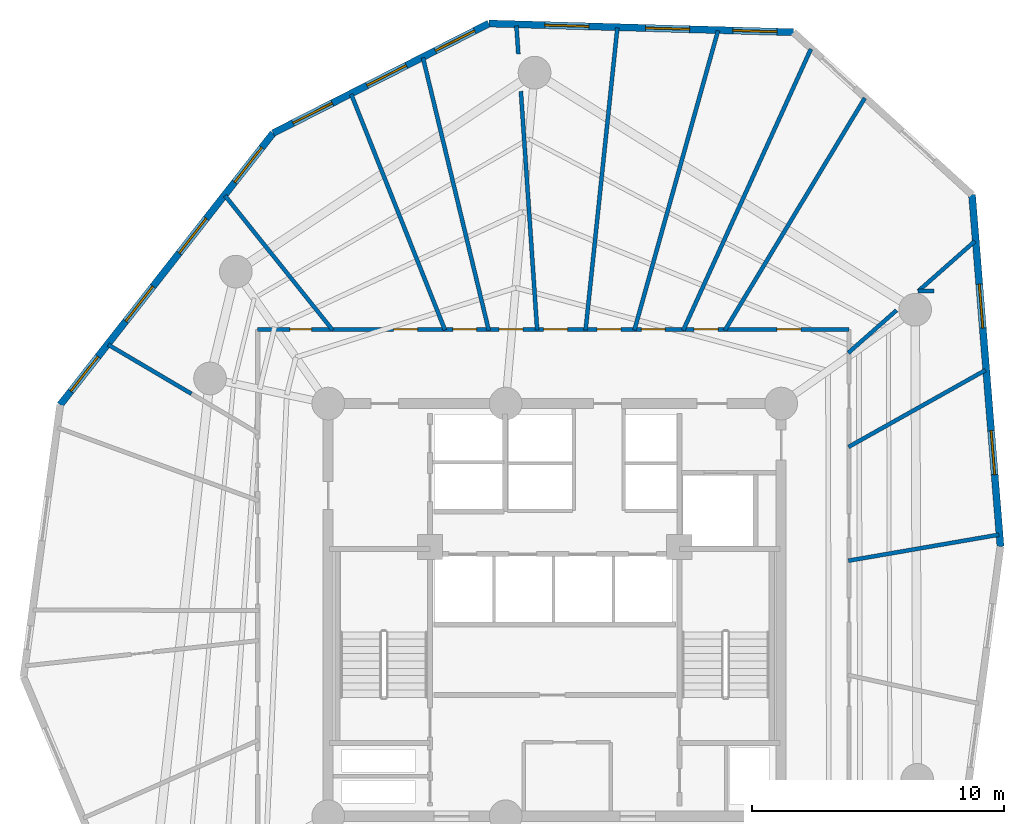
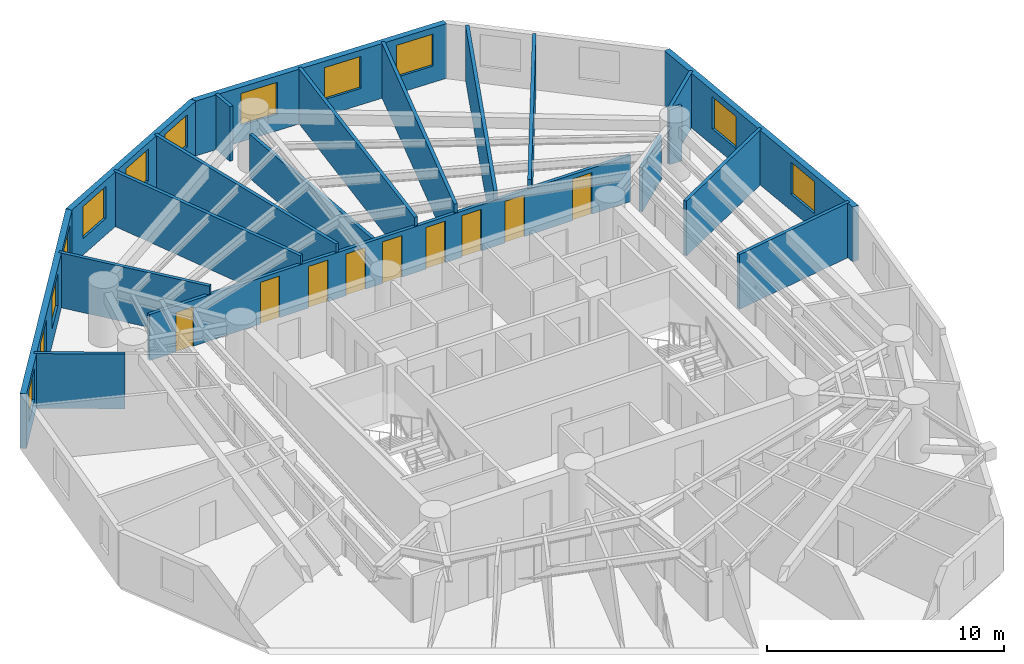
# One storey, part 6 of 8: 20 walls, 12 windows, 9 doors, 21 openings.
"""IFC4 building model written with IfcOpenShell, lengths in metres."""

from ifc_helpers import new_model, si_unit, direction, frame, frame_2d, origin, origin_with_axes, place, context, subcontext, project, spatial, rectangle, extrude, source, transform, mapped, material, layer, layer_set, type_object, element, fill, save


model = new_model("IFC4")

# Units and contexts
model_context = context("Model", 3, precision=1e-05, world=origin(), true_north=direction((0.0, 1.0)))
body_context = subcontext(model_context, "Body", "Model", "MODEL_VIEW")
ifc_project = project(units=[si_unit("LENGTHUNIT", "METRE"), si_unit("AREAUNIT", "SQUARE_METRE"), si_unit("VOLUMEUNIT", "CUBIC_METRE"), si_unit("PLANEANGLEUNIT", "RADIAN"), si_unit("MASSUNIT", "GRAM", prefix="KILO")], contexts=[model_context])

# Site, building, storey
site_placement = place(None, origin())
site = spatial("IfcSite", under=ifc_project, at=site_placement, CompositionType="ELEMENT")
building_placement = place(site_placement, origin())
building = spatial("IfcBuilding", under=site, at=building_placement, Name="Karkom Vertical University and Central Library", CompositionType="ELEMENT")
storey_placement = place(building_placement, frame((0.0, 0.0, 168.75)))
storey = spatial("IfcBuildingStorey", under=building, at=storey_placement, Name="L48", CompositionType="ELEMENT", Elevation=168.75)

# Wall, openings, windows
ifc_material_1 = material(Name="Brick-faced precast concrete C45/55", Category="masonry")
ifc_layer_1 = layer(ifc_material_1, 0.280029296875)
ifc_layer_set_1 = layer_set([ifc_layer_1], Name="Brick-faced precast concrete C45/55")
wall_type_1 = type_object("IfcWallType", Name="ENV-WL-BRK-280", PredefinedType="SOLIDWALL", material=ifc_layer_set_1)
wall_1_placement = place(storey_placement, frame((46.215087890625, 29.02197265625, 0.0), z_axis=(0.0, 0.0, 1.0), x_axis=(-0.080623276525, 0.996744644973, 0.0)))
wall_1 = element("IfcWall", 1, at=wall_1_placement, inside=storey, type_object=wall_type_1, Name="Level 48 Brick-Faced Precast Facade Wall 08", PredefinedType="SOLIDWALL", context=body_context, shape_type="SweptSolid", body=[
    extrude(rectangle(XDim=14.0234375, YDim=0.280029296875, at=frame_2d((7.01171875, 0.0))), origin(), (0.0, 0.0, 1.0), 2.824951171875),
])
opening_1_placement = place(wall_1_placement, frame((2.866943359375, 0.0, 0.85009765625)))
opening_1 = element("IfcOpeningElement", 2, at=opening_1_placement, cuts=wall_1, Name="Opening WN-08", PredefinedType="OPENING", context=body_context, shape_type="SweptSolid", body=[
    extrude(rectangle(XDim=1.75, YDim=1.64990234375, at=frame_2d((0.875, 0.824951171875))), frame((0.0, 0.14990234375, 0.0), z_axis=(0.0, -1.0, 0.0), x_axis=(1.0, 0.0, 0.0)), (0.0, 0.0, 1.0), 0.300048828125),
])
opening_2_placement = place(wall_1_placement, frame((8.708984375, 0.0, 0.85009765625)))
opening_2 = element("IfcOpeningElement", 3, at=opening_2_placement, cuts=wall_1, Name="Opening WN-08", PredefinedType="OPENING", context=body_context, shape_type="SweptSolid", body=[
    extrude(rectangle(XDim=1.75, YDim=1.64990234375, at=frame_2d((0.875, 0.824951171875))), frame((0.0, 0.14990234375, 0.0), z_axis=(0.0, -1.0, 0.0), x_axis=(1.0, 0.0, 0.0)), (0.0, 0.0, 1.0), 0.300048828125),
])
ifc_material_2 = material(Name="Aluminium thermal-break frame with solar-control IGU", Category="aluminium")
window_type = type_object("IfcWindowType", Name="ENV-WIN-WN-08", PartitioningType="SINGLE_PANEL", PredefinedType="WINDOW", material=ifc_material_2)
shared_shape_1 = source(origin_with_axes(), body_context, "Body", "SweptSolid", [
    extrude(rectangle(XDim=1.75, YDim=1.64990234375, at=frame_2d((0.875, 0.824951171875))), frame((0.0, 0.030029296875, 0.0), z_axis=(0.0, -1.0, 0.0), x_axis=(1.0, 0.0, 0.0)), (0.0, 0.0, 1.0), 0.06005859375),
])
window_1_placement = place(opening_1_placement, origin())
window_1 = element("IfcWindow", 4, at=window_1_placement, inside=storey, type_object=window_type, Name="Level 48 Punched Window 8.1", OverallHeight=1.64990234375, OverallWidth=1.75, PartitioningType="SINGLE_PANEL", PredefinedType="WINDOW", context=body_context, shape_type="MappedRepresentation", body=[
    mapped(shared_shape_1, transform((0.0, 0.0, 0.0), scale=1.0)),
])
fill(opening_1, window_1)
window_2_placement = place(opening_2_placement, origin())
window_2 = element("IfcWindow", 5, at=window_2_placement, inside=storey, type_object=window_type, Name="Level 48 Punched Window 8.2", OverallHeight=1.64990234375, OverallWidth=1.75, PartitioningType="SINGLE_PANEL", PredefinedType="WINDOW", context=body_context, shape_type="MappedRepresentation", body=[
    mapped(shared_shape_1, transform((0.0, 0.0, 0.0), scale=1.0)),
])
fill(opening_2, window_2)

wall_2_placement = place(storey_placement, frame((37.987060546875, 49.45703125, 0.0), z_axis=(0.0, 0.0, 1.0), x_axis=(-0.999592924777, 0.028530417713, 0.0)))
wall_2 = element("IfcWall", 6, at=wall_2_placement, inside=storey, type_object=wall_type_1, Name="Level 48 Brick-Faced Precast Facade Wall 10", PredefinedType="SOLIDWALL", context=body_context, shape_type="SweptSolid", body=[
    extrude(rectangle(XDim=12.1083984375, YDim=0.280029296875, at=frame_2d((6.05419921875, 0.0))), origin(), (0.0, 0.0, 1.0), 2.824951171875),
])
opening_3_placement = place(wall_2_placement, frame((0.658203125, 0.0, 0.85009765625)))
opening_3 = element("IfcOpeningElement", 7, at=opening_3_placement, cuts=wall_2, Name="Opening WN-08", PredefinedType="OPENING", context=body_context, shape_type="SweptSolid", body=[
    extrude(rectangle(XDim=1.75, YDim=1.64990234375, at=frame_2d((0.875, 0.824951171875))), frame((0.0, 0.14990234375, 0.0), z_axis=(0.0, -1.0, 0.0), x_axis=(1.0, 0.0, 0.0)), (0.0, 0.0, 1.0), 0.300048828125),
])
opening_4_placement = place(wall_2_placement, frame((4.129150390625, 0.0, 0.85009765625)))
opening_4 = element("IfcOpeningElement", 8, at=opening_4_placement, cuts=wall_2, Name="Opening WN-08", PredefinedType="OPENING", context=body_context, shape_type="SweptSolid", body=[
    extrude(rectangle(XDim=1.75, YDim=1.64990234375, at=frame_2d((0.875, 0.824951171875))), frame((0.0, 0.14990234375, 0.0), z_axis=(0.0, -1.0, 0.0), x_axis=(1.0, 0.0, 0.0)), (0.0, 0.0, 1.0), 0.300048828125),
])
opening_5_placement = place(wall_2_placement, frame((8.131103515625, 0.0, 0.85009765625)))
opening_5 = element("IfcOpeningElement", 9, at=opening_5_placement, cuts=wall_2, Name="Opening WN-08", PredefinedType="OPENING", context=body_context, shape_type="SweptSolid", body=[
    extrude(rectangle(XDim=1.75, YDim=1.64990234375, at=frame_2d((0.875, 0.824951171875))), frame((0.0, 0.14990234375, 0.0), z_axis=(0.0, -1.0, 0.0), x_axis=(1.0, 0.0, 0.0)), (0.0, 0.0, 1.0), 0.300048828125),
])
window_3_placement = place(opening_3_placement, origin())
window_3 = element("IfcWindow", 10, at=window_3_placement, inside=storey, type_object=window_type, Name="Level 48 Punched Window 10.1", OverallHeight=1.64990234375, OverallWidth=1.75, PartitioningType="SINGLE_PANEL", PredefinedType="WINDOW", context=body_context, shape_type="MappedRepresentation", body=[
    mapped(shared_shape_1, transform((0.0, 0.0, 0.0), scale=1.0)),
])
fill(opening_3, window_3)
window_4_placement = place(opening_4_placement, origin())
window_4 = element("IfcWindow", 11, at=window_4_placement, inside=storey, type_object=window_type, Name="Level 48 Punched Window 10.2", OverallHeight=1.64990234375, OverallWidth=1.75, PartitioningType="SINGLE_PANEL", PredefinedType="WINDOW", context=body_context, shape_type="MappedRepresentation", body=[
    mapped(shared_shape_1, transform((0.0, 0.0, 0.0), scale=1.0)),
])
fill(opening_4, window_4)
window_5_placement = place(opening_5_placement, origin())
window_5 = element("IfcWindow", 12, at=window_5_placement, inside=storey, type_object=window_type, Name="Level 48 Punched Window 10.3", OverallHeight=1.64990234375, OverallWidth=1.75, PartitioningType="SINGLE_PANEL", PredefinedType="WINDOW", context=body_context, shape_type="MappedRepresentation", body=[
    mapped(shared_shape_1, transform((0.0, 0.0, 0.0), scale=1.0)),
])
fill(opening_5, window_5)

wall_3_placement = place(storey_placement, frame((25.883544921875, 49.802490234375, 0.0), z_axis=(0.0, 0.0, 1.0), x_axis=(-0.89150888701, -0.453003205708, 0.0)))
wall_3 = element("IfcWall", 13, at=wall_3_placement, inside=storey, type_object=wall_type_1, Name="Level 48 Brick-Faced Precast Facade Wall 11", PredefinedType="SOLIDWALL", context=body_context, shape_type="SweptSolid", body=[
    extrude(rectangle(XDim=9.61572265625, YDim=0.280029296875, at=frame_2d((4.807861328125, 0.0))), origin(), (0.0, 0.0, 1.0), 2.824951171875),
])
opening_6_placement = place(wall_3_placement, frame((0.6337890625, 0.0, 0.85009765625)))
opening_6 = element("IfcOpeningElement", 14, at=opening_6_placement, cuts=wall_3, Name="Opening WN-08", PredefinedType="OPENING", context=body_context, shape_type="SweptSolid", body=[
    extrude(rectangle(XDim=1.75, YDim=1.64990234375, at=frame_2d((0.875, 0.824951171875))), frame((0.0, 0.14990234375, 0.0), z_axis=(0.0, -1.0, 0.0), x_axis=(1.0, 0.0, 0.0)), (0.0, 0.0, 1.0), 0.300048828125),
])
opening_7_placement = place(wall_3_placement, frame((3.679931640625, 0.0, 0.85009765625)))
opening_7 = element("IfcOpeningElement", 15, at=opening_7_placement, cuts=wall_3, Name="Opening WN-08", PredefinedType="OPENING", context=body_context, shape_type="SweptSolid", body=[
    extrude(rectangle(XDim=1.75, YDim=1.64990234375, at=frame_2d((0.875, 0.824951171875))), frame((0.0, 0.14990234375, 0.0), z_axis=(0.0, -1.0, 0.0), x_axis=(1.0, 0.0, 0.0)), (0.0, 0.0, 1.0), 0.300048828125),
])
opening_8_placement = place(wall_3_placement, frame((6.97900390625, 0.0, 0.85009765625)))
opening_8 = element("IfcOpeningElement", 16, at=opening_8_placement, cuts=wall_3, Name="Opening WN-08", PredefinedType="OPENING", context=body_context, shape_type="SweptSolid", body=[
    extrude(rectangle(XDim=1.75, YDim=1.64990234375, at=frame_2d((0.875, 0.824951171875))), frame((0.0, 0.14990234375, 0.0), z_axis=(0.0, -1.0, 0.0), x_axis=(1.0, 0.0, 0.0)), (0.0, 0.0, 1.0), 0.300048828125),
])
window_6_placement = place(opening_6_placement, origin())
window_6 = element("IfcWindow", 17, at=window_6_placement, inside=storey, type_object=window_type, Name="Level 48 Punched Window 11.1", OverallHeight=1.64990234375, OverallWidth=1.75, PartitioningType="SINGLE_PANEL", PredefinedType="WINDOW", context=body_context, shape_type="MappedRepresentation", body=[
    mapped(shared_shape_1, transform((0.0, 0.0, 0.0), scale=1.0)),
])
fill(opening_6, window_6)
window_7_placement = place(opening_7_placement, origin())
window_7 = element("IfcWindow", 18, at=window_7_placement, inside=storey, type_object=window_type, Name="Level 48 Punched Window 11.2", OverallHeight=1.64990234375, OverallWidth=1.75, PartitioningType="SINGLE_PANEL", PredefinedType="WINDOW", context=body_context, shape_type="MappedRepresentation", body=[
    mapped(shared_shape_1, transform((0.0, 0.0, 0.0), scale=1.0)),
])
fill(opening_7, window_7)
window_8_placement = place(opening_8_placement, origin())
window_8 = element("IfcWindow", 19, at=window_8_placement, inside=storey, type_object=window_type, Name="Level 48 Punched Window 11.3", OverallHeight=1.64990234375, OverallWidth=1.75, PartitioningType="SINGLE_PANEL", PredefinedType="WINDOW", context=body_context, shape_type="MappedRepresentation", body=[
    mapped(shared_shape_1, transform((0.0, 0.0, 0.0), scale=1.0)),
])
fill(opening_8, window_8)

wall_4_placement = place(storey_placement, frame((17.31103515625, 45.446533203125, 0.0), z_axis=(0.0, 0.0, 1.0), x_axis=(-0.616918014759, -0.787027422054, 0.0)))
wall_4 = element("IfcWall", 20, at=wall_4_placement, inside=storey, type_object=wall_type_1, Name="Level 48 Brick-Faced Precast Facade Wall 12", PredefinedType="SOLIDWALL", context=body_context, shape_type="SweptSolid", body=[
    extrude(rectangle(XDim=13.717529296875, YDim=0.280029296875, at=frame_2d((6.85888671875, 0.0))), origin(), (0.0, 0.0, 1.0), 2.824951171875),
])
opening_9_placement = place(wall_4_placement, frame((0.725830078125, 0.0, 0.85009765625)))
opening_9 = element("IfcOpeningElement", 21, at=opening_9_placement, cuts=wall_4, Name="Opening WN-08", PredefinedType="OPENING", context=body_context, shape_type="SweptSolid", body=[
    extrude(rectangle(XDim=1.75, YDim=1.64990234375, at=frame_2d((0.875, 0.824951171875))), frame((0.0, 0.14990234375, 0.0), z_axis=(0.0, -1.0, 0.0), x_axis=(1.0, 0.0, 0.0)), (0.0, 0.0, 1.0), 0.300048828125),
])
opening_10_placement = place(wall_4_placement, frame((4.304931640625, 0.0, 0.85009765625)))
opening_10 = element("IfcOpeningElement", 22, at=opening_10_placement, cuts=wall_4, Name="Opening WN-08", PredefinedType="OPENING", context=body_context, shape_type="SweptSolid", body=[
    extrude(rectangle(XDim=1.75, YDim=1.64990234375, at=frame_2d((0.875, 0.824951171875))), frame((0.0, 0.14990234375, 0.0), z_axis=(0.0, -1.0, 0.0), x_axis=(1.0, 0.0, 0.0)), (0.0, 0.0, 1.0), 0.300048828125),
])
opening_11_placement = place(wall_4_placement, frame((7.740966796875, 0.0, 0.85009765625)))
opening_11 = element("IfcOpeningElement", 23, at=opening_11_placement, cuts=wall_4, Name="Opening WN-08", PredefinedType="OPENING", context=body_context, shape_type="SweptSolid", body=[
    extrude(rectangle(XDim=1.75, YDim=1.64990234375, at=frame_2d((0.875, 0.824951171875))), frame((0.0, 0.14990234375, 0.0), z_axis=(0.0, -1.0, 0.0), x_axis=(1.0, 0.0, 0.0)), (0.0, 0.0, 1.0), 0.300048828125),
])
opening_12_placement = place(wall_4_placement, frame((11.281005859375, 0.0, 0.85009765625)))
opening_12 = element("IfcOpeningElement", 24, at=opening_12_placement, cuts=wall_4, Name="Opening WN-08", PredefinedType="OPENING", context=body_context, shape_type="SweptSolid", body=[
    extrude(rectangle(XDim=1.75, YDim=1.64990234375, at=frame_2d((0.875, 0.824951171875))), frame((0.0, 0.14990234375, 0.0), z_axis=(0.0, -1.0, 0.0), x_axis=(1.0, 0.0, 0.0)), (0.0, 0.0, 1.0), 0.300048828125),
])
window_9_placement = place(opening_9_placement, origin())
window_9 = element("IfcWindow", 25, at=window_9_placement, inside=storey, type_object=window_type, Name="Level 48 Punched Window 12.1", OverallHeight=1.64990234375, OverallWidth=1.75, PartitioningType="SINGLE_PANEL", PredefinedType="WINDOW", context=body_context, shape_type="MappedRepresentation", body=[
    mapped(shared_shape_1, transform((0.0, 0.0, 0.0), scale=1.0)),
])
fill(opening_9, window_9)
window_10_placement = place(opening_10_placement, origin())
window_10 = element("IfcWindow", 26, at=window_10_placement, inside=storey, type_object=window_type, Name="Level 48 Punched Window 12.2", OverallHeight=1.64990234375, OverallWidth=1.75, PartitioningType="SINGLE_PANEL", PredefinedType="WINDOW", context=body_context, shape_type="MappedRepresentation", body=[
    mapped(shared_shape_1, transform((0.0, 0.0, 0.0), scale=1.0)),
])
fill(opening_10, window_10)
window_11_placement = place(opening_11_placement, origin())
window_11 = element("IfcWindow", 27, at=window_11_placement, inside=storey, type_object=window_type, Name="Level 48 Punched Window 12.3", OverallHeight=1.64990234375, OverallWidth=1.75, PartitioningType="SINGLE_PANEL", PredefinedType="WINDOW", context=body_context, shape_type="MappedRepresentation", body=[
    mapped(shared_shape_1, transform((0.0, 0.0, 0.0), scale=1.0)),
])
fill(opening_11, window_11)
window_12_placement = place(opening_12_placement, origin())
window_12 = element("IfcWindow", 28, at=window_12_placement, inside=storey, type_object=window_type, Name="Level 48 Punched Window 12.4", OverallHeight=1.64990234375, OverallWidth=1.75, PartitioningType="SINGLE_PANEL", PredefinedType="WINDOW", context=body_context, shape_type="MappedRepresentation", body=[
    mapped(shared_shape_1, transform((0.0, 0.0, 0.0), scale=1.0)),
])
fill(opening_12, window_12)

# Wall, openings, doors
ifc_material_3 = material(Name="Insulated metal-stud drywall 160mm", Category="gypsum")
ifc_layer_2 = layer(ifc_material_3, 0.159912109375)
ifc_layer_set_2 = layer_set([ifc_layer_2], Name="Insulated metal-stud drywall 160mm")
wall_type_2 = type_object("IfcWallType", Name="INT-WL-COR-160", PredefinedType="PARTITIONING", material=ifc_layer_set_2)
wall_5_placement = place(storey_placement, frame((16.699951171875, 37.64990234375, 0.0), z_axis=(0.0, 0.0, 1.0), x_axis=(1.0, 0.0, 0.0)))
wall_5 = element("IfcWall", 29, at=wall_5_placement, inside=storey, type_object=wall_type_2, Name="Level 48 Interior Partition Wall L48-CORW-CW-003", PredefinedType="PARTITIONING", context=body_context, shape_type="SweptSolid", body=[
    extrude(rectangle(XDim=23.5, YDim=0.159912109375, at=frame_2d((11.75, 0.0))), origin(), (0.0, 0.0, 1.0), 2.375),
])
opening_13_placement = place(wall_5_placement, frame((20.632080078125, 0.0, 0.0)))
opening_13 = element("IfcOpeningElement", 30, at=opening_13_placement, cuts=wall_5, Name="Opening D-RM1", PredefinedType="OPENING", context=body_context, shape_type="SweptSolid", body=[
    extrude(rectangle(XDim=0.949951171875, YDim=2.14990234375, at=frame_2d((0.47509765625, 1.074951171875))), frame((0.0, 0.08984375, 0.0), z_axis=(0.0, -1.0, 0.0), x_axis=(1.0, 0.0, 0.0)), (0.0, 0.0, 1.0), 0.179931640625),
])
opening_14_placement = place(wall_5_placement, frame((17.340087890625, 0.0, 0.0)))
opening_14 = element("IfcOpeningElement", 31, at=opening_14_placement, cuts=wall_5, Name="Opening D-RM1", PredefinedType="OPENING", context=body_context, shape_type="SweptSolid", body=[
    extrude(rectangle(XDim=0.949951171875, YDim=2.14990234375, at=frame_2d((0.47509765625, 1.074951171875))), frame((0.0, 0.08984375, 0.0), z_axis=(0.0, -1.0, 0.0), x_axis=(1.0, 0.0, 0.0)), (0.0, 0.0, 1.0), 0.179931640625),
])
opening_15_placement = place(wall_5_placement, frame((15.239990234375, 0.0, 0.0)))
opening_15 = element("IfcOpeningElement", 32, at=opening_15_placement, cuts=wall_5, Name="Opening D-RM1", PredefinedType="OPENING", context=body_context, shape_type="SweptSolid", body=[
    extrude(rectangle(XDim=0.949951171875, YDim=2.14990234375, at=frame_2d((0.47509765625, 1.074951171875))), frame((0.0, 0.08984375, 0.0), z_axis=(0.0, -1.0, 0.0), x_axis=(1.0, 0.0, 0.0)), (0.0, 0.0, 1.0), 0.179931640625),
])
opening_16_placement = place(wall_5_placement, frame((13.481689453125, 0.0, 0.0)))
opening_16 = element("IfcOpeningElement", 33, at=opening_16_placement, cuts=wall_5, Name="Opening D-RM1", PredefinedType="OPENING", context=body_context, shape_type="SweptSolid", body=[
    extrude(rectangle(XDim=0.949951171875, YDim=2.14990234375, at=frame_2d((0.47509765625, 1.074951171875))), frame((0.0, 0.08984375, 0.0), z_axis=(0.0, -1.0, 0.0), x_axis=(1.0, 0.0, 0.0)), (0.0, 0.0, 1.0), 0.179931640625),
])
opening_17_placement = place(wall_5_placement, frame((11.364990234375, 0.0, 0.0)))
opening_17 = element("IfcOpeningElement", 34, at=opening_17_placement, cuts=wall_5, Name="Opening D-RM1", PredefinedType="OPENING", context=body_context, shape_type="SweptSolid", body=[
    extrude(rectangle(XDim=0.949951171875, YDim=2.14990234375, at=frame_2d((0.47509765625, 1.074951171875))), frame((0.0, 0.08984375, 0.0), z_axis=(0.0, -1.0, 0.0), x_axis=(1.0, 0.0, 0.0)), (0.0, 0.0, 1.0), 0.179931640625),
])
opening_18_placement = place(wall_5_placement, frame((9.58837890625, 0.0, 0.0)))
opening_18 = element("IfcOpeningElement", 35, at=opening_18_placement, cuts=wall_5, Name="Opening D-RM1", PredefinedType="OPENING", context=body_context, shape_type="SweptSolid", body=[
    extrude(rectangle(XDim=0.949951171875, YDim=2.14990234375, at=frame_2d((0.47509765625, 1.074951171875))), frame((0.0, 0.08984375, 0.0), z_axis=(0.0, -1.0, 0.0), x_axis=(1.0, 0.0, 0.0)), (0.0, 0.0, 1.0), 0.179931640625),
])
opening_19_placement = place(wall_5_placement, frame((7.75, 0.0, 0.0)))
opening_19 = element("IfcOpeningElement", 36, at=opening_19_placement, cuts=wall_5, Name="Opening D-RM1", PredefinedType="OPENING", context=body_context, shape_type="SweptSolid", body=[
    extrude(rectangle(XDim=0.949951171875, YDim=2.14990234375, at=frame_2d((0.47509765625, 1.074951171875))), frame((0.0, 0.08984375, 0.0), z_axis=(0.0, -1.0, 0.0), x_axis=(1.0, 0.0, 0.0)), (0.0, 0.0, 1.0), 0.179931640625),
])
opening_20_placement = place(wall_5_placement, frame((5.39990234375, 0.0, 0.0)))
opening_20 = element("IfcOpeningElement", 37, at=opening_20_placement, cuts=wall_5, Name="Opening D-RM1", PredefinedType="OPENING", context=body_context, shape_type="SweptSolid", body=[
    extrude(rectangle(XDim=0.949951171875, YDim=2.14990234375, at=frame_2d((0.47509765625, 1.074951171875))), frame((0.0, 0.08984375, 0.0), z_axis=(0.0, -1.0, 0.0), x_axis=(1.0, 0.0, 0.0)), (0.0, 0.0, 1.0), 0.179931640625),
])
opening_21_placement = place(wall_5_placement, frame((1.276611328125, 0.0, 0.0)))
opening_21 = element("IfcOpeningElement", 38, at=opening_21_placement, cuts=wall_5, Name="Opening FD-BTH2", PredefinedType="OPENING", context=body_context, shape_type="SweptSolid", body=[
    extrude(rectangle(XDim=0.860107421875, YDim=2.0400390625, at=frame_2d((0.43017578125, 1.02001953125))), frame((0.0, 0.08984375, 0.0), z_axis=(0.0, -1.0, 0.0), x_axis=(1.0, 0.0, 0.0)), (0.0, 0.0, 1.0), 0.179931640625),
])
ifc_material_4 = material(Name="Fire-rated moisture-resistant oak door", Category="wood")
door_type_1 = type_object("IfcDoorType", Name="INT-DR-FBTH2", OperationType="NOTDEFINED", PredefinedType="DOOR", material=ifc_material_4)
shared_shape_2 = source(origin_with_axes(), body_context, "Body", "SweptSolid", [
    extrude(rectangle(XDim=0.860107421875, YDim=2.0400390625, at=frame_2d((0.43017578125, 1.02001953125))), frame((0.0, 0.02490234375, 0.0), z_axis=(0.0, -1.0, 0.0), x_axis=(1.0, 0.0, 0.0)), (0.0, 0.0, 1.0), 0.050048828125),
])
door_1_placement = place(opening_21_placement, origin())
door_1 = element("IfcDoor", 39, at=door_1_placement, inside=storey, type_object=door_type_1, Name="Level 48 Campus Student Health Counseling Clinic Entry Door", OperationType="SINGLE_SWING_LEFT", OverallHeight=2.0400390625, OverallWidth=0.860107421875, PredefinedType="DOOR", context=body_context, shape_type="MappedRepresentation", body=[
    mapped(shared_shape_2, transform((0.0, 0.0, 0.0), scale=1.0)),
])
fill(opening_21, door_1)
ifc_material_5 = material(Name="Solid-core oak veneer door", Category="wood")
door_type_2 = type_object("IfcDoorType", Name="INT-DR-RM1", OperationType="NOTDEFINED", PredefinedType="DOOR", material=ifc_material_5)
shared_shape_3 = source(origin_with_axes(), body_context, "Body", "SweptSolid", [
    extrude(rectangle(XDim=0.949951171875, YDim=2.14990234375, at=frame_2d((0.47509765625, 1.074951171875))), frame((0.0, 0.02490234375, 0.0), z_axis=(0.0, -1.0, 0.0), x_axis=(1.0, 0.0, 0.0)), (0.0, 0.0, 1.0), 0.050048828125),
])
door_2_placement = place(opening_13_placement, origin())
door_2 = element("IfcDoor", 40, at=door_2_placement, inside=storey, type_object=door_type_2, Name="Level 48 Room Entry Door 170", OperationType="SINGLE_SWING_LEFT", OverallHeight=2.14990234375, OverallWidth=0.949951171875, PredefinedType="DOOR", context=body_context, shape_type="MappedRepresentation", body=[
    mapped(shared_shape_3, transform((0.0, 0.0, 0.0), scale=1.0)),
])
fill(opening_13, door_2)
door_3_placement = place(opening_14_placement, origin())
door_3 = element("IfcDoor", 41, at=door_3_placement, inside=storey, type_object=door_type_2, Name="Level 48 Room Entry Door 180", OperationType="SINGLE_SWING_RIGHT", OverallHeight=2.14990234375, OverallWidth=0.949951171875, PredefinedType="DOOR", context=body_context, shape_type="MappedRepresentation", body=[
    mapped(shared_shape_3, transform((0.0, 0.0, 0.0), scale=1.0)),
])
fill(opening_14, door_3)
door_4_placement = place(opening_15_placement, origin())
door_4 = element("IfcDoor", 42, at=door_4_placement, inside=storey, type_object=door_type_2, Name="Level 48 Room Entry Door 190", OperationType="SINGLE_SWING_LEFT", OverallHeight=2.14990234375, OverallWidth=0.949951171875, PredefinedType="DOOR", context=body_context, shape_type="MappedRepresentation", body=[
    mapped(shared_shape_3, transform((0.0, 0.0, 0.0), scale=1.0)),
])
fill(opening_15, door_4)
door_5_placement = place(opening_16_placement, origin())
door_5 = element("IfcDoor", 43, at=door_5_placement, inside=storey, type_object=door_type_2, Name="Level 48 Room Entry Door 200", OperationType="SINGLE_SWING_RIGHT", OverallHeight=2.14990234375, OverallWidth=0.949951171875, PredefinedType="DOOR", context=body_context, shape_type="MappedRepresentation", body=[
    mapped(shared_shape_3, transform((0.0, 0.0, 0.0), scale=1.0)),
])
fill(opening_16, door_5)
door_6_placement = place(opening_17_placement, origin())
door_6 = element("IfcDoor", 44, at=door_6_placement, inside=storey, type_object=door_type_2, Name="Level 48 Room Entry Door 210", OperationType="SINGLE_SWING_LEFT", OverallHeight=2.14990234375, OverallWidth=0.949951171875, PredefinedType="DOOR", context=body_context, shape_type="MappedRepresentation", body=[
    mapped(shared_shape_3, transform((0.0, 0.0, 0.0), scale=1.0)),
])
fill(opening_17, door_6)
door_7_placement = place(opening_18_placement, origin())
door_7 = element("IfcDoor", 45, at=door_7_placement, inside=storey, type_object=door_type_2, Name="Level 48 Room Entry Door 220", OperationType="SINGLE_SWING_RIGHT", OverallHeight=2.14990234375, OverallWidth=0.949951171875, PredefinedType="DOOR", context=body_context, shape_type="MappedRepresentation", body=[
    mapped(shared_shape_3, transform((0.0, 0.0, 0.0), scale=1.0)),
])
fill(opening_18, door_7)
door_8_placement = place(opening_19_placement, origin())
door_8 = element("IfcDoor", 46, at=door_8_placement, inside=storey, type_object=door_type_2, Name="Level 48 Room Entry Door 230", OperationType="SINGLE_SWING_LEFT", OverallHeight=2.14990234375, OverallWidth=0.949951171875, PredefinedType="DOOR", context=body_context, shape_type="MappedRepresentation", body=[
    mapped(shared_shape_3, transform((0.0, 0.0, 0.0), scale=1.0)),
])
fill(opening_19, door_8)
door_9_placement = place(opening_20_placement, origin())
door_9 = element("IfcDoor", 47, at=door_9_placement, inside=storey, type_object=door_type_2, Name="Level 48 Room Entry Door 240", OperationType="SINGLE_SWING_RIGHT", OverallHeight=2.14990234375, OverallWidth=0.949951171875, PredefinedType="DOOR", context=body_context, shape_type="MappedRepresentation", body=[
    mapped(shared_shape_3, transform((0.0, 0.0, 0.0), scale=1.0)),
])
fill(opening_20, door_9)

# Walls
wall_6_placement = place(storey_placement, frame((31.667724609375, 37.62109375, 0.0), z_axis=(0.0, 0.0, 1.0), x_axis=(0.268958912478, 0.963151651298, 0.0)))
element("IfcWall", 48, at=wall_6_placement, inside=storey, type_object=wall_type_2, Name="Level 48 Interior Partition Wall L48-PW-024", PredefinedType="PARTITIONING", context=body_context, shape_type="SweptSolid", body=[
    extrude(rectangle(XDim=12.349609375, YDim=0.159912109375, at=frame_2d((6.1748046875, 0.0))), origin(), (0.0, 0.0, 1.0), 2.824951171875),
])
wall_7_placement = place(storey_placement, frame((33.60693359375, 37.60888671875, 0.0), z_axis=(0.0, 0.0, 1.0), x_axis=(0.413209547716, 0.9106359699, 0.0)))
element("IfcWall", 49, at=wall_7_placement, inside=storey, type_object=wall_type_2, Name="Level 48 Interior Partition Wall L48-PW-023", PredefinedType="PARTITIONING", context=body_context, shape_type="SweptSolid", body=[
    extrude(rectangle(XDim=12.277099609375, YDim=0.159912109375, at=frame_2d((6.138671875, 0.0))), origin(), (0.0, 0.0, 1.0), 2.824951171875),
])
wall_8_placement = place(storey_placement, frame((29.728515625, 37.6201171875, 0.0), z_axis=(0.0, 0.0, 1.0), x_axis=(0.104488010934, 0.994526146248, 0.0)))
element("IfcWall", 50, at=wall_8_placement, inside=storey, type_object=wall_type_2, Name="Level 48 Interior Partition Wall L48-PW-025", PredefinedType="PARTITIONING", context=body_context, shape_type="SweptSolid", body=[
    extrude(rectangle(XDim=12.07763671875, YDim=0.159912109375, at=frame_2d((6.038818359375, 0.0))), origin(), (0.0, 0.0, 1.0), 2.824951171875),
])
wall_9_placement = place(storey_placement, frame((25.88134765625, 37.606201171875, 0.0), z_axis=(0.0, 0.0, 1.0), x_axis=(-0.234601997251, 0.972091509522, 0.0)))
element("IfcWall", 51, at=wall_9_placement, inside=storey, type_object=wall_type_2, Name="Level 48 Interior Partition Wall L48-PW-028", PredefinedType="PARTITIONING", context=body_context, shape_type="SweptSolid", body=[
    extrude(rectangle(XDim=11.1474609375, YDim=0.159912109375, at=frame_2d((5.57373046875, 0.0))), origin(), (0.0, 0.0, 1.0), 2.824951171875),
])
wall_10_placement = place(storey_placement, frame((35.2626953125, 37.611572265625, 0.0), z_axis=(0.0, 0.0, 1.0), x_axis=(0.515947737753, 0.856620062751, 0.0)))
element("IfcWall", 52, at=wall_10_placement, inside=storey, type_object=wall_type_2, Name="Level 48 Interior Partition Wall L48-PW-022", PredefinedType="PARTITIONING", context=body_context, shape_type="SweptSolid", body=[
    extrude(rectangle(XDim=10.775390625, YDim=0.159912109375, at=frame_2d((5.3876953125, 0.0))), origin(), (0.0, 0.0, 1.0), 2.824951171875),
])
wall_11_placement = place(storey_placement, frame((24.14111328125, 37.6220703125, 0.0), z_axis=(0.0, 0.0, 1.0), x_axis=(-0.369574647979, 0.929201043677, 0.0)))
element("IfcWall", 53, at=wall_11_placement, inside=storey, type_object=wall_type_2, Name="Level 48 Interior Partition Wall L48-PW-029", PredefinedType="PARTITIONING", context=body_context, shape_type="SweptSolid", body=[
    extrude(rectangle(XDim=10.086669921875, YDim=0.159912109375, at=frame_2d((5.04345703125, 0.0))), origin(), (0.0, 0.0, 1.0), 2.824951171875),
])
wall_12_placement = place(storey_placement, frame((27.802978515625, 37.6201171875, 0.0), z_axis=(0.0, 0.0, 1.0), x_axis=(-0.067965244052, 0.99768768941, 0.0)))
element("IfcWall", 54, at=wall_12_placement, inside=storey, type_object=wall_type_2, Name="Level 48 Interior Partition Wall L48-PW-026", PredefinedType="PARTITIONING", context=body_context, shape_type="SweptSolid", body=[
    extrude(rectangle(XDim=9.511962890625, YDim=0.159912109375, at=frame_2d((4.755859375, 0.0))), origin(), (0.0, 0.0, 1.0), 2.27490234375),
])
wall_13_placement = place(storey_placement, frame((19.68017578125, 37.614990234375, 0.0), z_axis=(0.0, 0.0, 1.0), x_axis=(-0.624925342078, 0.780684518118, 0.0)))
element("IfcWall", 55, at=wall_13_placement, inside=storey, type_object=wall_type_2, Name="Level 48 Interior Partition Wall L48-PW-030", PredefinedType="PARTITIONING", context=body_context, shape_type="SweptSolid", body=[
    extrude(rectangle(XDim=6.851318359375, YDim=0.159912109375, at=frame_2d((3.42578125, 0.0))), origin(), (0.0, 0.0, 1.0), 2.824951171875),
])
wall_14_placement = place(storey_placement, frame((40.173828125, 32.9755859375, 0.0), z_axis=(0.0, 0.0, 1.0), x_axis=(0.872285103808, 0.488997645878, 0.0)))
element("IfcWall", 56, at=wall_14_placement, inside=storey, type_object=wall_type_2, Name="Level 48 Interior Partition Wall L48-PW-018", PredefinedType="PARTITIONING", context=body_context, shape_type="SweptSolid", body=[
    extrude(rectangle(XDim=6.240234375, YDim=0.159912109375, at=frame_2d((3.1201171875, 0.0))), origin(), (0.0, 0.0, 1.0), 2.824951171875),
])
wall_15_placement = place(storey_placement, frame((40.17041015625, 28.455810546875, 0.0), z_axis=(0.0, 0.0, 1.0), x_axis=(0.985393626127, 0.170292106654, 0.0)))
element("IfcWall", 57, at=wall_15_placement, inside=storey, type_object=wall_type_2, Name="Level 48 Interior Partition Wall L48-PW-017", PredefinedType="PARTITIONING", context=body_context, shape_type="SweptSolid", body=[
    extrude(rectangle(XDim=6.070068359375, YDim=0.159912109375, at=frame_2d((3.03515625, 0.0))), origin(), (0.0, 0.0, 1.0), 2.824951171875),
])
wall_16_placement = place(storey_placement, frame((14.06494140625, 35.089111328125, 0.0), z_axis=(0.0, 0.0, 1.0), x_axis=(-0.861198344714, 0.508269034136, 0.0)))
element("IfcWall", 58, at=wall_16_placement, inside=storey, type_object=wall_type_2, Name="Level 48 Interior Partition Wall L48-PW-032", PredefinedType="PARTITIONING", context=body_context, shape_type="SweptSolid", body=[
    extrude(rectangle(XDim=3.8427734375, YDim=0.159912109375, at=frame_2d((1.92138671875, 0.0))), origin(), (0.0, 0.0, 1.0), 2.824951171875),
])
wall_17_placement = place(storey_placement, frame((42.947021484375, 39.16796875, 0.0), z_axis=(0.0, 0.0, 1.0), x_axis=(0.749811723164, 0.661651252402, 0.0)))
element("IfcWall", 59, at=wall_17_placement, inside=storey, type_object=wall_type_2, Name="Level 48 Interior Partition Wall L48-PW-021", PredefinedType="PARTITIONING", context=body_context, shape_type="SweptSolid", body=[
    extrude(rectangle(XDim=2.9990234375, YDim=0.159912109375, at=frame_2d((1.49951171875, 0.0))), origin(), (0.0, 0.0, 1.0), 2.824951171875),
])
wall_18_placement = place(storey_placement, frame((40.166259765625, 36.71435546875, 0.0), z_axis=(0.0, 0.0, 1.0), x_axis=(0.749832283788, 0.661627951487, 0.0)))
element("IfcWall", 60, at=wall_18_placement, inside=storey, type_object=wall_type_2, Name="Level 48 Interior Partition Wall L48-PW-019", PredefinedType="PARTITIONING", context=body_context, shape_type="SweptSolid", body=[
    extrude(rectangle(XDim=2.5576171875, YDim=0.159912109375, at=frame_2d((1.27880859375, 0.0))), origin(), (0.0, 0.0, 1.0), 2.27490234375),
])
wall_19_placement = place(storey_placement, frame((27.055908203125, 48.590087890625, 0.0), z_axis=(0.0, 0.0, 1.0), x_axis=(-0.068004228073, 0.997685032946, 0.0)))
element("IfcWall", 61, at=wall_19_placement, inside=storey, type_object=wall_type_2, Name="Level 48 Interior Partition Wall L48-PW-027", PredefinedType="PARTITIONING", context=body_context, shape_type="SweptSolid", body=[
    extrude(rectangle(XDim=1.123779296875, YDim=0.159912109375, at=frame_2d((0.56201171875, 0.0))), origin(), (0.0, 0.0, 1.0), 2.824951171875),
])
wall_20_placement = place(storey_placement, frame((43.56396484375, 39.16796875, 0.0), z_axis=(0.0, 0.0, 1.0), x_axis=(-1.0, 0.0, 0.0)))
element("IfcWall", 62, at=wall_20_placement, inside=storey, type_object=wall_type_2, Name="Level 48 Interior Partition Wall L48-PW-020", PredefinedType="PARTITIONING", context=body_context, shape_type="SweptSolid", body=[
    extrude(rectangle(XDim=0.616943359375, YDim=0.159912109375, at=frame_2d((0.30859375, 0.0))), origin(), (0.0, 0.0, 1.0), 2.824951171875),
])

save(model, "model.ifc")
